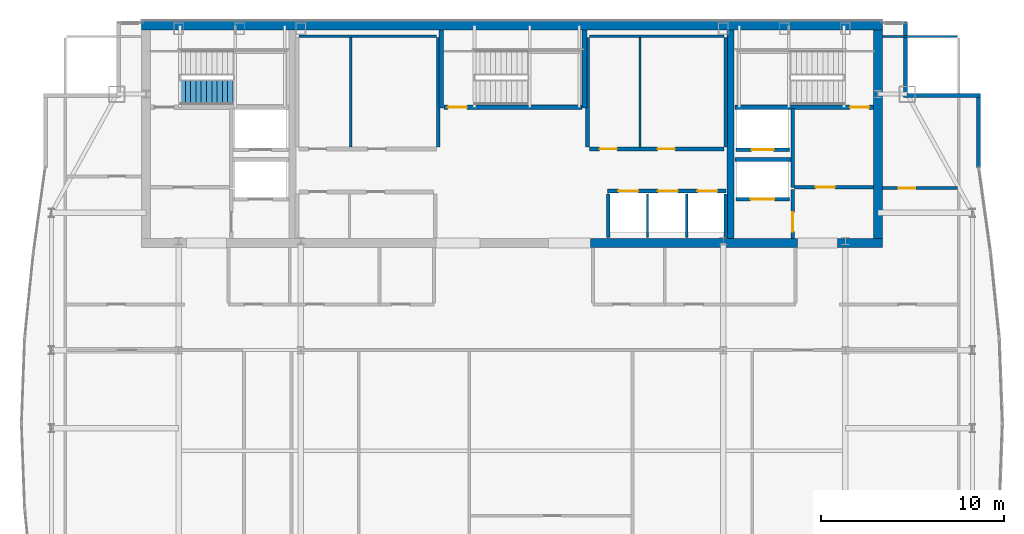
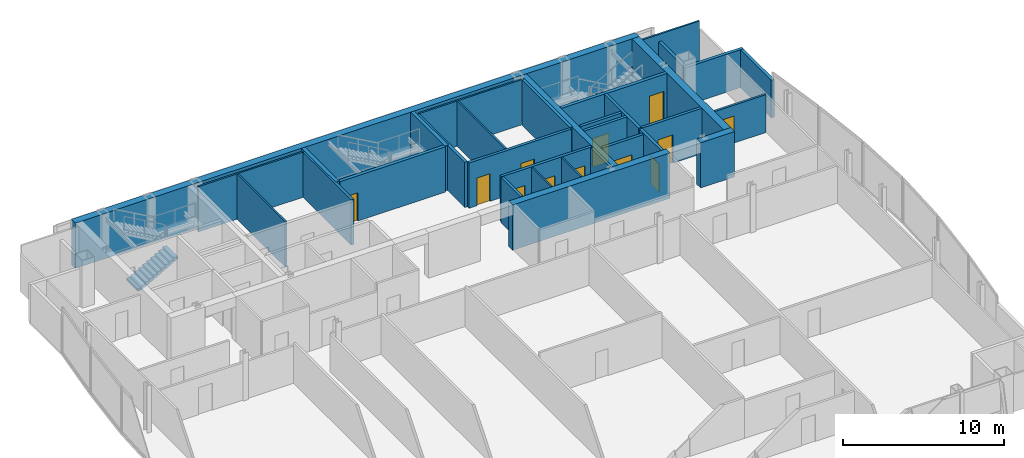
# One storey, part 23 of 26: 33 walls, 12 doors, 1 stair flight, 12 openings, 1 element without a shape of its own.
"""IFC4 building model written with IfcOpenShell, lengths in metres."""

from ifc_helpers import new_model, si_unit, direction, frame, frame_2d, origin, place, context, subcontext, project, spatial, polyline, rectangle, outline, extrude, material, layer, layer_set, type_object, element, fill, aggregate, save


model = new_model("IFC4")

# Units and contexts
model_context = context("Model", 3, precision=1e-05, world=origin(), true_north=direction((0.0, 1.0)))
body_context = subcontext(model_context, "Body", "Model", "MODEL_VIEW")
ifc_project = project(units=[si_unit("LENGTHUNIT", "METRE"), si_unit("AREAUNIT", "SQUARE_METRE"), si_unit("VOLUMEUNIT", "CUBIC_METRE"), si_unit("PLANEANGLEUNIT", "RADIAN"), si_unit("MASSUNIT", "GRAM", prefix="KILO")], contexts=[model_context])

# Site, building, storey
site_placement = place(None, origin())
site = spatial("IfcSite", under=ifc_project, at=site_placement, CompositionType="ELEMENT")
building_placement = place(site_placement, origin())
building = spatial("IfcBuilding", under=site, at=building_placement, Name="Khoronbel Lancet Exchange", CompositionType="ELEMENT")
storey_placement = place(building_placement, frame((0.0, 0.0, 339.800048828125)))
storey = spatial("IfcBuildingStorey", under=building, at=storey_placement, Name="L88", CompositionType="ELEMENT", Elevation=339.800048828125)

# Walls
ifc_material_1 = material(Name="Concrete C60/75", Category="concrete")
ifc_layer_1 = layer(ifc_material_1, 0.5, Name="Concrete C60/75")
ifc_layer_set_1 = layer_set([ifc_layer_1], Name="Concrete C60/75")
wall_type_1 = type_object("IfcWallType", Name="WL-CW4", PredefinedType="SHEAR", material=ifc_layer_set_1)
wall_1_placement = place(storey_placement, frame((16.199951171875, 53.449951171875, 0.0), z_axis=(0.0, 0.0, 1.0), x_axis=(1.0, 0.0, 0.0)))
element("IfcWall", 1, at=wall_1_placement, inside=storey, type_object=wall_type_1, Name="Level L88 rear core north shear wall", PredefinedType="SHEAR", context=body_context, shape_type="SweptSolid", body=[
    extrude(rectangle(XDim=40.5, YDim=0.5, at=frame_2d((20.25, 0.0))), origin(), (0.0, 0.0, 1.0), 3.43994140625),
])
wall_2_placement = place(storey_placement, frame((56.449951171875, 53.199951171875, 0.0), z_axis=(0.0, 0.0, 1.0), x_axis=(0.0, -1.0, 0.0)))
element("IfcWall", 2, at=wall_2_placement, inside=storey, type_object=wall_type_1, Name="Level L88 rear core east shear wall", PredefinedType="SHEAR", context=body_context, shape_type="SweptSolid", body=[
    extrude(rectangle(XDim=11.39990234375, YDim=0.5, at=frame_2d((5.699951171875, 0.0))), origin(), (0.0, 0.0, 1.0), 3.43994140625),
])
wall_3_placement = place(storey_placement, frame((52.050048828125, 41.550048828125, 0.0), z_axis=(0.0, 0.0, 1.0), x_axis=(-1.0, 0.0, 0.0)))
element("IfcWall", 3, at=wall_3_placement, inside=storey, type_object=wall_type_1, Name="Level L88 rear core south shear wall pier P4", PredefinedType="SHEAR", context=body_context, shape_type="SweptSolid", body=[
    extrude(rectangle(XDim=11.300048828125, YDim=0.5, at=frame_2d((5.64990234375, 0.0))), origin(), (0.0, 0.0, 1.0), 3.43994140625),
])
wall_4_placement = place(storey_placement, frame((56.699951171875, 41.550048828125, 0.0), z_axis=(0.0, 0.0, 1.0), x_axis=(-1.0, 0.0, 0.0)))
element("IfcWall", 4, at=wall_4_placement, inside=storey, type_object=wall_type_1, Name="Level L88 rear core south shear wall pier P5", PredefinedType="SHEAR", context=body_context, shape_type="SweptSolid", body=[
    extrude(rectangle(XDim=2.449951171875, YDim=0.5, at=frame_2d((1.22509765625, 0.0))), origin(), (0.0, 0.0, 1.0), 3.43994140625),
])
ifc_material_2 = material(Name="Precast concrete C40/50", Category="concrete")
ifc_layer_2 = layer(ifc_material_2, 0.25, Name="Precast concrete C40/50")
ifc_layer_set_2 = layer_set([ifc_layer_2], Name="Precast concrete C40/50")
wall_type_2 = type_object("IfcWallType", Name="WL-EXT250", PredefinedType="SOLIDWALL", material=ifc_layer_set_2)
wall_5_placement = place(storey_placement, frame((57.9599609375, 53.6298828125, 0.0), z_axis=(0.0, 0.0, 1.0), x_axis=(0.0, -1.0, 0.0)))
element("IfcWall", 5, at=wall_5_placement, inside=storey, type_object=wall_type_2, Name="Level L88 notched-corner limestone pier 14", PredefinedType="SOLIDWALL", context=body_context, shape_type="SweptSolid", body=[
    extrude(rectangle(XDim=3.909912109375, YDim=0.219970703125, at=frame_2d((1.955078125, 0.0))), origin(), (0.0, 0.0, 1.0), 2.8798828125),
])
wall_6_placement = place(storey_placement, frame((57.85009765625, 49.610107421875, 0.0), z_axis=(0.0, 0.0, 1.0), x_axis=(1.0, 0.0, 0.0)))
element("IfcWall", 6, at=wall_6_placement, inside=storey, type_object=wall_type_2, Name="Level L88 notched-corner limestone pier 15", PredefinedType="SOLIDWALL", context=body_context, shape_type="SweptSolid", body=[
    extrude(rectangle(XDim=4.219970703125, YDim=0.219970703125, at=frame_2d((2.10986328125, 0.0))), origin(), (0.0, 0.0, 1.0), 2.8798828125),
])
wall_7_placement = place(storey_placement, frame((61.9599609375, 49.5, 0.0), z_axis=(0.0, 0.0, 1.0), x_axis=(0.0, -1.0, 0.0)))
element("IfcWall", 7, at=wall_7_placement, inside=storey, type_object=wall_type_2, Name="Level L88 notched-corner limestone pier 16", PredefinedType="SOLIDWALL", context=body_context, shape_type="SweptSolid", body=[
    extrude(rectangle(XDim=3.826171875, YDim=0.219970703125, at=frame_2d((1.9130859375, 0.0))), origin(), (0.0, 0.0, 1.0), 2.8798828125),
])

# Wall, opening, door
ifc_material_3 = material(Name="Acoustic Metal-Stud & Mineral-Wool Gypsum Partition 120 mm", Category="gypsum")
ifc_layer_3 = layer(ifc_material_3, 0.1201171875, Name="Acoustic Metal-Stud & Mineral-Wool Gypsum Partition 120 mm")
ifc_layer_set_3 = layer_set([ifc_layer_3], Name="Acoustic Metal-Stud & Mineral-Wool Gypsum Partition 120 mm")
wall_type_3 = type_object("IfcWallType", Name="WL-PRT120", PredefinedType="PARTITIONING", material=ifc_layer_set_3)
wall_8_placement = place(storey_placement, frame((56.699951171875, 44.56005859375, 0.0), z_axis=(0.0, 0.0, 1.0), x_axis=(1.0, 0.0, 0.0)))
wall_8 = element("IfcWall", 8, at=wall_8_placement, inside=storey, type_object=wall_type_3, Name="Level L88 interior partition PW-NE-H", PredefinedType="PARTITIONING", context=body_context, shape_type="SweptSolid", body=[
    extrude(rectangle(XDim=4.10498046875, YDim=0.14990234375, at=frame_2d((2.052490234375, 0.0))), origin(), (0.0, 0.0, 1.0), 2.8798828125),
])
opening_1_placement = place(wall_8_placement, frame((0.89990234375, 0.0, 0.0)))
opening_1 = element("IfcOpeningElement", 9, at=opening_1_placement, cuts=wall_8, Name="Opening D5", PredefinedType="OPENING", context=body_context, shape_type="SweptSolid", body=[
    extrude(rectangle(XDim=0.89990234375, YDim=2.050048828125, at=frame_2d((0.449951171875, 1.02490234375))), frame((0.0, 0.0849609375, 0.0), z_axis=(0.0, -1.0, 0.0), x_axis=(1.0, 0.0, 0.0)), (0.0, 0.0, 1.0), 0.169921875),
])
ifc_material_4 = material(Name="Acoustic Timber Pantry & Support Door", Category="wood")
door_type_1 = type_object("IfcDoorType", Name="DR-D5", OperationType="NOTDEFINED", PredefinedType="DOOR", material=ifc_material_4)
door_1_placement = place(opening_1_placement, origin())
door_1 = element("IfcDoor", 10, at=door_1_placement, inside=storey, type_object=door_type_1, Name="NE north room door L88-1", OperationType="SINGLE_SWING_LEFT", OverallHeight=2.050048828125, OverallWidth=0.89990234375, PredefinedType="DOOR", context=body_context, shape_type="SweptSolid", body=[
    extrude(rectangle(XDim=0.89990234375, YDim=2.050048828125, at=frame_2d((0.449951171875, 1.02490234375))), frame((0.0, 0.02490234375, 0.0), z_axis=(0.0, -1.0, 0.0), x_axis=(1.0, 0.0, 0.0)), (0.0, 0.0, 1.0), 0.050048828125),
])
fill(opening_1, door_1)

# Walls
wall_9_placement = place(storey_placement, frame((56.699951171875, 52.840087890625, 0.0), z_axis=(0.0, 0.0, 1.0), x_axis=(1.0, 0.0, 0.0)))
element("IfcWall", 11, at=wall_9_placement, inside=storey, type_object=wall_type_3, Name="Level L88 interior partition PW-LIN-NE", PredefinedType="PARTITIONING", context=body_context, shape_type="SweptSolid", body=[
    extrude(rectangle(XDim=4.10498046875, YDim=0.1201171875, at=frame_2d((2.052490234375, 0.0))), origin(), (0.0, 0.0, 1.0), 3.43994140625),
])
ifc_material_5 = material(Name="Fire-Rated Metal-Stud & Mineral-Wool Gypsum Partition 120 mm", Category="gypsum")
ifc_layer_4 = layer(ifc_material_5, 0.1201171875, Name="Fire-Rated Metal-Stud & Mineral-Wool Gypsum Partition 120 mm")
ifc_layer_set_4 = layer_set([ifc_layer_4], Name="Fire-Rated Metal-Stud & Mineral-Wool Gypsum Partition 120 mm")
wall_type_4 = type_object("IfcWallType", Name="WL-PRT120F", PredefinedType="PARTITIONING", material=ifc_layer_set_4)
wall_10_placement = place(storey_placement, frame((24.804931640625, 52.860107421875, 0.0), z_axis=(0.0, 0.0, 1.0), x_axis=(1.0, 0.0, 0.0)))
element("IfcWall", 12, at=wall_10_placement, inside=storey, type_object=wall_type_4, Name="Level L88 interior partition CW-PL-RN", PredefinedType="PARTITIONING", context=body_context, shape_type="SweptSolid", body=[
    extrude(rectangle(XDim=7.510009765625, YDim=0.1201171875, at=frame_2d((3.7548828125, 0.0))), origin(), (0.0, 0.0, 1.0), 3.43994140625),
])
wall_11_placement = place(storey_placement, frame((27.633544921875, 46.804931640625, 0.0), z_axis=(0.0, 0.0, 1.0), x_axis=(0.0, 1.0, 0.0)))
element("IfcWall", 13, at=wall_11_placement, inside=storey, type_object=wall_type_4, Name="Level L88 interior partition CW-PL-RS1", PredefinedType="PARTITIONING", context=body_context, shape_type="SweptSolid", body=[
    extrude(rectangle(XDim=5.989990234375, YDim=0.1201171875, at=frame_2d((2.9951171875, 0.0))), origin(), (0.0, 0.0, 1.0), 3.43994140625),
])
wall_12_placement = place(storey_placement, frame((40.68505859375, 52.860107421875, 0.0), z_axis=(0.0, 0.0, 1.0), x_axis=(1.0, 0.0, 0.0)))
element("IfcWall", 14, at=wall_12_placement, inside=storey, type_object=wall_type_4, Name="Level L88 interior partition CW-PH-RN", PredefinedType="PARTITIONING", context=body_context, shape_type="SweptSolid", body=[
    extrude(rectangle(XDim=7.349853515625, YDim=0.1201171875, at=frame_2d((3.6748046875, 0.0))), origin(), (0.0, 0.0, 1.0), 3.43994140625),
])
wall_13_placement = place(storey_placement, frame((43.452880859375, 46.804931640625, 0.0), z_axis=(0.0, 0.0, 1.0), x_axis=(0.0, 1.0, 0.0)))
element("IfcWall", 15, at=wall_13_placement, inside=storey, type_object=wall_type_4, Name="Level L88 interior partition CW-PH-RS1", PredefinedType="PARTITIONING", context=body_context, shape_type="SweptSolid", body=[
    extrude(rectangle(XDim=5.989990234375, YDim=0.1201171875, at=frame_2d((2.9951171875, 0.0))), origin(), (0.0, 0.0, 1.0), 3.43994140625),
])
for number, where, z_axis, x_axis, name in (
    (16, (43.860107421875, 41.85009765625, 0.0), (0.0, 0.0, 1.0), (0.0, 1.0, 0.0), "Level L88 interior partition CW-PX-D1"),
    (17, (46.0, 41.85009765625, 0.0), (0.0, 0.0, 1.0), (0.0, 1.0, 0.0), "Level L88 interior partition CW-PX-D2"),
):
    element("IfcWall", number, at=place(storey_placement, frame(where, z_axis=z_axis, x_axis=x_axis)), inside=storey, type_object=wall_type_4, Name=name, PredefinedType="PARTITIONING", context=body_context, shape_type="SweptSolid", body=[
        extrude(rectangle(XDim=2.39990234375, YDim=0.1201171875, at=frame_2d((1.199951171875, 0.0))), origin(), (0.0, 0.0, 1.0), 3.43994140625),
    ])

# Wall, openings, doors
ifc_material_6 = material(Name="Autoclaved Aerated Concrete Blockwork 200 mm", Category="masonry")
ifc_layer_5 = layer(ifc_material_6, 0.199951171875, Name="Autoclaved Aerated Concrete Blockwork 200 mm")
ifc_layer_set_5 = layer_set([ifc_layer_5], Name="Autoclaved Aerated Concrete Blockwork 200 mm")
wall_type_5 = type_object("IfcWallType", Name="WL-PRT200", PredefinedType="PARTITIONING", material=ifc_layer_set_5)
wall_14_placement = place(storey_placement, frame((41.679931640625, 44.39990234375, 0.0), z_axis=(0.0, 0.0, 1.0), x_axis=(1.0, 0.0, 0.0)))
wall_14 = element("IfcWall", 18, at=wall_14_placement, inside=storey, type_object=wall_type_5, Name="Level L88 elevator hoistway landing front wall PXE", PredefinedType="PARTITIONING", context=body_context, shape_type="SweptSolid", body=[
    extrude(rectangle(XDim=6.47998046875, YDim=0.199951171875, at=frame_2d((3.239990234375, 0.0))), origin(), (0.0, 0.0, 1.0), 3.43994140625),
])
opening_2_placement = place(wall_14_placement, frame((0.580078125, 0.0, 0.0)))
opening_2 = element("IfcOpeningElement", 19, at=opening_2_placement, cuts=wall_14, Name="Opening LD-PX1", PredefinedType="OPENING", context=body_context, shape_type="SweptSolid", body=[
    extrude(rectangle(XDim=1.10009765625, YDim=2.179931640625, at=frame_2d((0.550048828125, 1.08984375))), frame((0.0, 0.10986328125, 0.0), z_axis=(0.0, -1.0, 0.0), x_axis=(1.0, 0.0, 0.0)), (0.0, 0.0, 1.0), 0.219970703125),
])
opening_3_placement = place(wall_14_placement, frame((2.739990234375, 0.0, 0.0)))
opening_3 = element("IfcOpeningElement", 20, at=opening_3_placement, cuts=wall_14, Name="Opening LD-PX2", PredefinedType="OPENING", context=body_context, shape_type="SweptSolid", body=[
    extrude(rectangle(XDim=1.10009765625, YDim=2.179931640625, at=frame_2d((0.550048828125, 1.08984375))), frame((0.0, 0.10986328125, 0.0), z_axis=(0.0, -1.0, 0.0), x_axis=(1.0, 0.0, 0.0)), (0.0, 0.0, 1.0), 0.219970703125),
])
opening_4_placement = place(wall_14_placement, frame((4.89990234375, 0.0, 0.0)))
opening_4 = element("IfcOpeningElement", 21, at=opening_4_placement, cuts=wall_14, Name="Opening LD-PX3", PredefinedType="OPENING", context=body_context, shape_type="SweptSolid", body=[
    extrude(rectangle(XDim=1.10009765625, YDim=2.179931640625, at=frame_2d((0.550048828125, 1.08984375))), frame((0.0, 0.10986328125, 0.0), z_axis=(0.0, -1.0, 0.0), x_axis=(1.0, 0.0, 0.0)), (0.0, 0.0, 1.0), 0.219970703125),
])
ifc_material_7 = material(Name="Brushed Bronze Bi-Parting Elevator Landing Door", Category="steel")
door_type_2 = type_object("IfcDoorType", Name="DR-LD-PAX", OperationType="NOTDEFINED", PredefinedType="DOOR", material=ifc_material_7)
door_2_placement = place(opening_2_placement, origin())
door_2 = element("IfcDoor", 22, at=door_2_placement, inside=storey, type_object=door_type_2, Name="Elevator landing sliding door LD-PX1 L88", OperationType="SLIDING_TO_LEFT", OverallHeight=2.179931640625, OverallWidth=1.10009765625, PredefinedType="DOOR", context=body_context, shape_type="SweptSolid", body=[
    extrude(rectangle(XDim=1.10009765625, YDim=2.179931640625, at=frame_2d((0.550048828125, 1.08984375))), frame((0.0, 0.02490234375, 0.0), z_axis=(0.0, -1.0, 0.0), x_axis=(1.0, 0.0, 0.0)), (0.0, 0.0, 1.0), 0.050048828125),
])
fill(opening_2, door_2)
door_3_placement = place(opening_3_placement, origin())
door_3 = element("IfcDoor", 23, at=door_3_placement, inside=storey, type_object=door_type_2, Name="Elevator landing sliding door LD-PX2 L88", OperationType="SLIDING_TO_LEFT", OverallHeight=2.179931640625, OverallWidth=1.10009765625, PredefinedType="DOOR", context=body_context, shape_type="SweptSolid", body=[
    extrude(rectangle(XDim=1.10009765625, YDim=2.179931640625, at=frame_2d((0.550048828125, 1.08984375))), frame((0.0, 0.02490234375, 0.0), z_axis=(0.0, -1.0, 0.0), x_axis=(1.0, 0.0, 0.0)), (0.0, 0.0, 1.0), 0.050048828125),
])
fill(opening_3, door_3)
door_4_placement = place(opening_4_placement, origin())
door_4 = element("IfcDoor", 24, at=door_4_placement, inside=storey, type_object=door_type_2, Name="Elevator landing sliding door LD-PX3 L88", OperationType="SLIDING_TO_LEFT", OverallHeight=2.179931640625, OverallWidth=1.10009765625, PredefinedType="DOOR", context=body_context, shape_type="SweptSolid", body=[
    extrude(rectangle(XDim=1.10009765625, YDim=2.179931640625, at=frame_2d((0.550048828125, 1.08984375))), frame((0.0, 0.02490234375, 0.0), z_axis=(0.0, -1.0, 0.0), x_axis=(1.0, 0.0, 0.0)), (0.0, 0.0, 1.0), 0.050048828125),
])
fill(opening_4, door_4)

# Wall, opening, door
wall_15_placement = place(storey_placement, frame((51.610107421875, 43.949951171875, 0.0), z_axis=(0.0, 0.0, 1.0), x_axis=(-1.0, 0.0, 0.0)))
wall_15 = element("IfcWall", 25, at=wall_15_placement, inside=storey, type_object=wall_type_5, Name="Level L88 elevator hoistway landing front wall SVLE", PredefinedType="PARTITIONING", context=body_context, shape_type="SweptSolid", body=[
    extrude(rectangle(XDim=2.920166015625, YDim=0.199951171875, at=frame_2d((1.4599609375, 0.0))), origin(), (0.0, 0.0, 1.0), 3.43994140625),
])
opening_5_placement = place(wall_15_placement, frame((0.81005859375, 0.0, 0.0)))
opening_5 = element("IfcOpeningElement", 26, at=opening_5_placement, cuts=wall_15, Name="Opening LD-SVL2", PredefinedType="OPENING", context=body_context, shape_type="SweptSolid", body=[
    extrude(rectangle(XDim=1.300048828125, YDim=2.179931640625, at=frame_2d((0.64990234375, 1.08984375))), frame((0.0, 0.10986328125, 0.0), z_axis=(0.0, -1.0, 0.0), x_axis=(1.0, 0.0, 0.0)), (0.0, 0.0, 1.0), 0.219970703125),
])
ifc_material_8 = material(Name="Heavy-Duty Bi-Parting Goods Lift Landing Door", Category="steel")
door_type_3 = type_object("IfcDoorType", Name="DR-LD-SVL", OperationType="NOTDEFINED", PredefinedType="DOOR", material=ifc_material_8)
door_5_placement = place(opening_5_placement, origin())
door_5 = element("IfcDoor", 27, at=door_5_placement, inside=storey, type_object=door_type_3, Name="Elevator landing sliding door LD-SVL2 L88", OperationType="SLIDING_TO_LEFT", OverallHeight=2.179931640625, OverallWidth=1.300048828125, PredefinedType="DOOR", context=body_context, shape_type="SweptSolid", body=[
    extrude(rectangle(XDim=1.300048828125, YDim=2.179931640625, at=frame_2d((0.64990234375, 1.08984375))), frame((0.0, 0.02490234375, 0.0), z_axis=(0.0, -1.0, 0.0), x_axis=(1.0, 0.0, 0.0)), (0.0, 0.0, 1.0), 0.050048828125),
])
fill(opening_5, door_5)

wall_16_placement = place(storey_placement, frame((51.610107421875, 46.64990234375, 0.0), z_axis=(0.0, 0.0, 1.0), x_axis=(-1.0, 0.0, 0.0)))
wall_16 = element("IfcWall", 28, at=wall_16_placement, inside=storey, type_object=wall_type_5, Name="Level L88 elevator hoistway landing front wall FFLE", PredefinedType="PARTITIONING", context=body_context, shape_type="SweptSolid", body=[
    extrude(rectangle(XDim=2.920166015625, YDim=0.199951171875, at=frame_2d((1.4599609375, 0.0))), origin(), (0.0, 0.0, 1.0), 3.43994140625),
])
opening_6_placement = place(wall_16_placement, frame((0.860107421875, 0.0, 0.0)))
opening_6 = element("IfcOpeningElement", 29, at=opening_6_placement, cuts=wall_16, Name="Opening LD-FFL2", PredefinedType="OPENING", context=body_context, shape_type="SweptSolid", body=[
    extrude(rectangle(XDim=1.199951171875, YDim=2.179931640625, at=frame_2d((0.60009765625, 1.08984375))), frame((0.0, 0.10986328125, 0.0), z_axis=(0.0, -1.0, 0.0), x_axis=(1.0, 0.0, 0.0)), (0.0, 0.0, 1.0), 0.219970703125),
])
ifc_material_9 = material(Name="Fire-Rated Stainless Bi-Parting Firefighting Lift Door", Category="steel")
door_type_4 = type_object("IfcDoorType", Name="DR-LD-FFL", OperationType="NOTDEFINED", PredefinedType="DOOR", material=ifc_material_9)
door_6_placement = place(opening_6_placement, origin())
door_6 = element("IfcDoor", 30, at=door_6_placement, inside=storey, type_object=door_type_4, Name="Elevator landing sliding door LD-FFL2 L88", OperationType="SLIDING_TO_LEFT", OverallHeight=2.179931640625, OverallWidth=1.199951171875, PredefinedType="DOOR", context=body_context, shape_type="SweptSolid", body=[
    extrude(rectangle(XDim=1.199951171875, YDim=2.179931640625, at=frame_2d((0.60009765625, 1.08984375))), frame((0.0, 0.02490234375, 0.0), z_axis=(0.0, -1.0, 0.0), x_axis=(1.0, 0.0, 0.0)), (0.0, 0.0, 1.0), 0.050048828125),
])
fill(opening_6, door_6)

# Wall
wall_17_placement = place(storey_placement, frame((51.800048828125, 44.60009765625, 0.0), z_axis=(0.0, 0.0, 1.0), x_axis=(0.0, 1.0, 0.0)))
element("IfcWall", 31, at=wall_17_placement, inside=storey, type_object=wall_type_5, Name="Level L88 interior partition CW-FFLE-W", PredefinedType="PARTITIONING", context=body_context, shape_type="SweptSolid", body=[
    extrude(rectangle(XDim=4.2998046875, YDim=0.199951171875, at=frame_2d((2.14990234375, 0.0))), origin(), (0.0, 0.0, 1.0), 3.43994140625),
])

# Wall, opening, door
wall_18_placement = place(storey_placement, frame((51.89990234375, 44.60009765625, 0.0), z_axis=(0.0, 0.0, 1.0), x_axis=(1.0, 0.0, 0.0)))
wall_18 = element("IfcWall", 32, at=wall_18_placement, inside=storey, type_object=wall_type_5, Name="Level L88 interior partition CW-FFLE-S", PredefinedType="PARTITIONING", context=body_context, shape_type="SweptSolid", body=[
    extrude(rectangle(XDim=4.300048828125, YDim=0.199951171875, at=frame_2d((2.14990234375, 0.0))), origin(), (0.0, 0.0, 1.0), 3.43994140625),
])
opening_7_placement = place(wall_18_placement, frame((1.14990234375, 0.0, 0.0)))
opening_7 = element("IfcOpeningElement", 33, at=opening_7_placement, cuts=wall_18, Name="Opening FD1", PredefinedType="OPENING", context=body_context, shape_type="SweptSolid", body=[
    extrude(rectangle(XDim=1.050048828125, YDim=2.14990234375, at=frame_2d((0.52490234375, 1.074951171875))), frame((0.0, 0.10986328125, 0.0), z_axis=(0.0, -1.0, 0.0), x_axis=(1.0, 0.0, 0.0)), (0.0, 0.0, 1.0), 0.219970703125),
])
ifc_material_10 = material(Name="Fire-Rated Painted Steel Door Assembly", Category="steel")
door_type_5 = type_object("IfcDoorType", Name="DR-FD1", OperationType="NOTDEFINED", PredefinedType="DOOR", material=ifc_material_10)
door_7_placement = place(opening_7_placement, origin())
door_7 = element("IfcDoor", 34, at=door_7_placement, inside=storey, type_object=door_type_5, Name="East firefighting lobby FD90S door L88-1", OperationType="SINGLE_SWING_LEFT", OverallHeight=2.14990234375, OverallWidth=1.050048828125, PredefinedType="DOOR", context=body_context, shape_type="SweptSolid", body=[
    extrude(rectangle(XDim=1.050048828125, YDim=2.14990234375, at=frame_2d((0.52490234375, 1.074951171875))), frame((0.0, 0.02490234375, 0.0), z_axis=(0.0, -1.0, 0.0), x_axis=(1.0, 0.0, 0.0)), (0.0, 0.0, 1.0), 0.050048828125),
])
fill(opening_7, door_7)

# Wall
wall_19_placement = place(storey_placement, frame((48.6298828125, 46.1201171875, 0.0), z_axis=(0.0, 0.0, 1.0), x_axis=(1.0, 0.0, 0.0)))
element("IfcWall", 35, at=wall_19_placement, inside=storey, type_object=wall_type_5, Name="Level L88 interior partition CW-FFL2-S", PredefinedType="PARTITIONING", context=body_context, shape_type="SweptSolid", body=[
    extrude(rectangle(XDim=3.070068359375, YDim=0.199951171875, at=frame_2d((1.53515625, 0.0))), origin(), (0.0, 0.0, 1.0), 3.43994140625),
])

# Wall, opening, door
wall_20_placement = place(storey_placement, frame((51.800048828125, 41.800048828125, 0.0), z_axis=(0.0, 0.0, 1.0), x_axis=(0.0, 1.0, 0.0)))
wall_20 = element("IfcWall", 36, at=wall_20_placement, inside=storey, type_object=wall_type_5, Name="Level L88 interior partition CW-SVLE-E", PredefinedType="PARTITIONING", context=body_context, shape_type="SweptSolid", body=[
    extrude(rectangle(XDim=2.695068359375, YDim=0.199951171875, at=frame_2d((1.34765625, 0.0))), origin(), (0.0, 0.0, 1.0), 3.43994140625),
])
opening_8_placement = place(wall_20_placement, frame((0.3798828125, 0.0, 0.0)))
opening_8 = element("IfcOpeningElement", 37, at=opening_8_placement, cuts=wall_20, Name="Opening FD1", PredefinedType="OPENING", context=body_context, shape_type="SweptSolid", body=[
    extrude(rectangle(XDim=1.050048828125, YDim=2.14990234375, at=frame_2d((0.52490234375, 1.074951171875))), frame((0.0, 0.10986328125, 0.0), z_axis=(0.0, -1.0, 0.0), x_axis=(1.0, 0.0, 0.0)), (0.0, 0.0, 1.0), 0.219970703125),
])
door_8_placement = place(opening_8_placement, origin())
door_8 = element("IfcDoor", 38, at=door_8_placement, inside=storey, type_object=door_type_5, Name="East service lift lobby door L88-1", OperationType="SINGLE_SWING_RIGHT", OverallHeight=2.14990234375, OverallWidth=1.050048828125, PredefinedType="DOOR", context=body_context, shape_type="SweptSolid", body=[
    extrude(rectangle(XDim=1.050048828125, YDim=2.14990234375, at=frame_2d((0.52490234375, 1.074951171875))), frame((0.0, 0.02490234375, 0.0), z_axis=(0.0, -1.0, 0.0), x_axis=(1.0, 0.0, 0.0)), (0.0, 0.0, 1.0), 0.050048828125),
])
fill(opening_8, door_8)

# Walls
for number, where, z_axis, x_axis, name in (
    (39, (32.419921875, 46.804931640625, 0.0), (0.0, 0.0, 1.0), (0.0, 1.0, 0.0), "Level L88 interior partition CW-PL-RE"),
    (40, (40.580078125, 46.804931640625, 0.0), (0.0, 0.0, 1.0), (0.0, 1.0, 0.0), "Level L88 interior partition CW-PH-RW"),
    (41, (48.139892578125, 46.804931640625, 0.0), (0.0, 0.0, 1.0), (0.0, 1.0, 0.0), "Level L88 interior partition CW-PH-RE"),
):
    element("IfcWall", number, at=place(storey_placement, frame(where, z_axis=z_axis, x_axis=x_axis)), inside=storey, type_object=wall_type_5, Name=name, PredefinedType="PARTITIONING", context=body_context, shape_type="SweptSolid", body=[
        extrude(rectangle(XDim=5.989990234375, YDim=0.199951171875, at=frame_2d((2.9951171875, 0.0))), origin(), (0.0, 0.0, 1.0), 3.43994140625),
    ])

# Wall, openings, doors
wall_21_placement = place(storey_placement, frame((40.68505859375, 46.699951171875, 0.0), z_axis=(0.0, 0.0, 1.0), x_axis=(1.0, 0.0, 0.0)))
wall_21 = element("IfcWall", 42, at=wall_21_placement, inside=storey, type_object=wall_type_5, Name="Level L88 interior partition CW-PH-RF", PredefinedType="PARTITIONING", context=body_context, shape_type="SweptSolid", body=[
    extrude(rectangle(XDim=7.349853515625, YDim=0.199951171875, at=frame_2d((3.6748046875, 0.0))), origin(), (0.0, 0.0, 1.0), 3.43994140625),
])
opening_9_placement = place(wall_21_placement, frame((0.550048828125, 0.0, 0.0)))
opening_9 = element("IfcOpeningElement", 43, at=opening_9_placement, cuts=wall_21, Name="Opening FD3", PredefinedType="OPENING", context=body_context, shape_type="SweptSolid", body=[
    extrude(rectangle(XDim=0.949951171875, YDim=2.10009765625, at=frame_2d((0.47509765625, 1.050048828125))), frame((0.0, 0.10986328125, 0.0), z_axis=(0.0, -1.0, 0.0), x_axis=(1.0, 0.0, 0.0)), (0.0, 0.0, 1.0), 0.219970703125),
])
opening_10_placement = place(wall_21_placement, frame((3.722900390625, 0.0, 0.0)))
opening_10 = element("IfcOpeningElement", 44, at=opening_10_placement, cuts=wall_21, Name="Opening FD3", PredefinedType="OPENING", context=body_context, shape_type="SweptSolid", body=[
    extrude(rectangle(XDim=0.949951171875, YDim=2.10009765625, at=frame_2d((0.47509765625, 1.050048828125))), frame((0.0, 0.10986328125, 0.0), z_axis=(0.0, -1.0, 0.0), x_axis=(1.0, 0.0, 0.0)), (0.0, 0.0, 1.0), 0.219970703125),
])
ifc_material_11 = material(Name="Fire-Rated Steel Plant & Riser Door Assembly", Category="steel")
door_type_6 = type_object("IfcDoorType", Name="DR-FD3", OperationType="NOTDEFINED", PredefinedType="DOOR", material=ifc_material_11)
door_9_placement = place(opening_9_placement, origin())
door_9 = element("IfcDoor", 45, at=door_9_placement, inside=storey, type_object=door_type_6, Name="Reclaimed PH A door L88-1", OperationType="SINGLE_SWING_LEFT", OverallHeight=2.10009765625, OverallWidth=0.949951171875, PredefinedType="DOOR", context=body_context, shape_type="SweptSolid", body=[
    extrude(rectangle(XDim=0.949951171875, YDim=2.10009765625, at=frame_2d((0.47509765625, 1.050048828125))), frame((0.0, 0.02490234375, 0.0), z_axis=(0.0, -1.0, 0.0), x_axis=(1.0, 0.0, 0.0)), (0.0, 0.0, 1.0), 0.050048828125),
])
fill(opening_9, door_9)
door_10_placement = place(opening_10_placement, origin())
door_10 = element("IfcDoor", 46, at=door_10_placement, inside=storey, type_object=door_type_6, Name="Reclaimed PH B door L88-2", OperationType="SINGLE_SWING_RIGHT", OverallHeight=2.10009765625, OverallWidth=0.949951171875, PredefinedType="DOOR", context=body_context, shape_type="SweptSolid", body=[
    extrude(rectangle(XDim=0.949951171875, YDim=2.10009765625, at=frame_2d((0.47509765625, 1.050048828125))), frame((0.0, 0.02490234375, 0.0), z_axis=(0.0, -1.0, 0.0), x_axis=(1.0, 0.0, 0.0)), (0.0, 0.0, 1.0), 0.050048828125),
])
fill(opening_10, door_10)

# Walls
for number, where, z_axis, x_axis, name in (
    (47, (41.719970703125, 41.85009765625, 0.0), (0.0, 0.0, 1.0), (0.0, 1.0, 0.0), "Level L88 interior partition CW-PX-W"),
    (48, (48.139892578125, 41.85009765625, 0.0), (0.0, 0.0, 1.0), (0.0, 1.0, 0.0), "Level L88 interior partition CW-PX-E"),
):
    element("IfcWall", number, at=place(storey_placement, frame(where, z_axis=z_axis, x_axis=x_axis)), inside=storey, type_object=wall_type_5, Name=name, PredefinedType="PARTITIONING", context=body_context, shape_type="SweptSolid", body=[
        extrude(rectangle(XDim=2.39990234375, YDim=0.199951171875, at=frame_2d((1.199951171875, 0.0))), origin(), (0.0, 0.0, 1.0), 3.43994140625),
    ])
ifc_layer_6 = layer(ifc_material_1, 0.39990234375, Name="Concrete C60/75")
ifc_layer_set_6 = layer_set([ifc_layer_6], Name="Concrete C60/75")
wall_type_6 = type_object("IfcWallType", Name="WL-SW2", PredefinedType="SHEAR", material=ifc_layer_set_6)
wall_22_placement = place(storey_placement, frame((48.39990234375, 41.800048828125, 0.0), z_axis=(0.0, 0.0, 1.0), x_axis=(0.0, 1.0, 0.0)))
element("IfcWall", 49, at=wall_22_placement, inside=storey, type_object=wall_type_6, Name="Level L88 rear core internal spine shear wall IE", PredefinedType="SHEAR", context=body_context, shape_type="SweptSolid", body=[
    extrude(rectangle(XDim=11.39990234375, YDim=0.39990234375, at=frame_2d((5.699951171875, 0.0))), origin(), (0.0, 0.0, 1.0), 3.43994140625),
])
ifc_layer_7 = layer(ifc_material_1, 0.260009765625, Name="Concrete C60/75")
ifc_layer_set_7 = layer_set([ifc_layer_7], Name="Concrete C60/75")
wall_type_7 = type_object("IfcWallType", Name="WL-SW3", PredefinedType="SHEAR", material=ifc_layer_set_7)
for number, where, z_axis, x_axis, name in (
    (50, (32.580078125, 48.949951171875, 0.0), (0.0, 0.0, 1.0), (0.0, 1.0, 0.0), "Level L88 central stairwell structural shear wall ST3W"),
    (51, (40.419921875, 48.949951171875, 0.0), (0.0, 0.0, 1.0), (0.0, 1.0, 0.0), "Level L88 central stairwell structural shear wall ST3E"),
):
    element("IfcWall", number, at=place(storey_placement, frame(where, z_axis=z_axis, x_axis=x_axis)), inside=storey, type_object=wall_type_7, Name=name, PredefinedType="SHEAR", context=body_context, shape_type="SweptSolid", body=[
        extrude(rectangle(XDim=4.25, YDim=0.260009765625, at=frame_2d((2.125, 0.0))), origin(), (0.0, 0.0, 1.0), 3.43994140625),
    ])

# Wall, opening, door
wall_23_placement = place(storey_placement, frame((48.6298828125, 48.97998046875, 0.0), z_axis=(0.0, 0.0, 1.0), x_axis=(1.0, 0.0, 0.0)))
wall_23 = element("IfcWall", 52, at=wall_23_placement, inside=storey, type_object=wall_type_7, Name="Level L88 east stairwell structural south wall", PredefinedType="SHEAR", context=body_context, shape_type="SweptSolid", body=[
    extrude(rectangle(XDim=7.570068359375, YDim=0.239990234375, at=frame_2d((3.78515625, 0.0))), origin(), (0.0, 0.0, 1.0), 3.43994140625),
])
opening_11_placement = place(wall_23_placement, frame((6.300048828125, 0.0, 0.0)))
opening_11 = element("IfcOpeningElement", 53, at=opening_11_placement, cuts=wall_23, Name="Opening SD1", PredefinedType="OPENING", context=body_context, shape_type="SweptSolid", body=[
    extrude(rectangle(XDim=1.050048828125, YDim=2.14990234375, at=frame_2d((0.52490234375, 1.074951171875))), frame((0.0, 0.1298828125, 0.0), z_axis=(0.0, -1.0, 0.0), x_axis=(1.0, 0.0, 0.0)), (0.0, 0.0, 1.0), 0.260009765625),
])
ifc_material_12 = material(Name="Fire-Rated Steel Stairwell Door Assembly", Category="steel")
door_type_7 = type_object("IfcDoorType", Name="DR-SD1", OperationType="NOTDEFINED", PredefinedType="DOOR", material=ifc_material_12)
door_11_placement = place(opening_11_placement, origin())
door_11 = element("IfcDoor", 54, at=door_11_placement, inside=storey, type_object=door_type_7, Name="Protected exit stair ST2 door L88", OperationType="SINGLE_SWING_RIGHT", OverallHeight=2.14990234375, OverallWidth=1.050048828125, PredefinedType="DOOR", context=body_context, shape_type="SweptSolid", body=[
    extrude(rectangle(XDim=1.050048828125, YDim=2.14990234375, at=frame_2d((0.52490234375, 1.074951171875))), frame((0.0, 0.02490234375, 0.0), z_axis=(0.0, -1.0, 0.0), x_axis=(1.0, 0.0, 0.0)), (0.0, 0.0, 1.0), 0.050048828125),
])
fill(opening_11, door_11)

wall_24_placement = place(storey_placement, frame((32.719970703125, 48.97998046875, 0.0), z_axis=(0.0, 0.0, 1.0), x_axis=(1.0, 0.0, 0.0)))
wall_24 = element("IfcWall", 55, at=wall_24_placement, inside=storey, type_object=wall_type_7, Name="Level L88 central stairwell structural south wall", PredefinedType="SHEAR", context=body_context, shape_type="SweptSolid", body=[
    extrude(rectangle(XDim=7.56005859375, YDim=0.239990234375, at=frame_2d((3.780029296875, 0.0))), origin(), (0.0, 0.0, 1.0), 3.43994140625),
])
opening_12_placement = place(wall_24_placement, frame((0.219970703125, 0.0, 0.0)))
opening_12 = element("IfcOpeningElement", 56, at=opening_12_placement, cuts=wall_24, Name="Opening SD1", PredefinedType="OPENING", context=body_context, shape_type="SweptSolid", body=[
    extrude(rectangle(XDim=1.050048828125, YDim=2.14990234375, at=frame_2d((0.52490234375, 1.074951171875))), frame((0.0, 0.1298828125, 0.0), z_axis=(0.0, -1.0, 0.0), x_axis=(1.0, 0.0, 0.0)), (0.0, 0.0, 1.0), 0.260009765625),
])
door_12_placement = place(opening_12_placement, origin())
door_12 = element("IfcDoor", 57, at=door_12_placement, inside=storey, type_object=door_type_7, Name="Protected exit stair ST3 door L88", OperationType="SINGLE_SWING_LEFT", OverallHeight=2.14990234375, OverallWidth=1.050048828125, PredefinedType="DOOR", context=body_context, shape_type="SweptSolid", body=[
    extrude(rectangle(XDim=1.050048828125, YDim=2.14990234375, at=frame_2d((0.52490234375, 1.074951171875))), frame((0.0, 0.02490234375, 0.0), z_axis=(0.0, -1.0, 0.0), x_axis=(1.0, 0.0, 0.0)), (0.0, 0.0, 1.0), 0.050048828125),
])
fill(opening_12, door_12)

# Stair, stair flight
ifc_material_13 = material(Name="Concrete C40/50", Category="concrete")
stair_type = type_object("IfcStairType", Name="STR-CORE150", PredefinedType="HALF_TURN_STAIR", material=ifc_material_13)
stair_placement = place(storey_placement, origin())
stair = element("IfcStair", 58, at=stair_placement, inside=storey, type_object=stair_type, Name="L88 Protected Exit Stair ST1", PredefinedType="HALF_TURN_STAIR")
stair_flight_type = type_object("IfcStairFlightType", Name="STF-150", PredefinedType="STRAIGHT", material=ifc_material_13)
stair_flight_placement = place(storey_placement, frame((18.300048828125, 49.81005859375, 0.0), z_axis=(0.0, 0.0, 1.0), x_axis=(1.0, 0.0, 0.0)))
stair_flight = element("IfcStairFlight", 59, at=stair_flight_placement, type_object=stair_flight_type, Name="ST1 flight 1", NumberOfRisers=11, NumberOfTreads=10, PredefinedType="STRAIGHT", RiserHeight=0.163636364, TreadLength=0.29, context=body_context, shape_type="SweptSolid", body=[
    extrude(outline(polyline([(0.0, 0.0), (0.0, 0.16357421875), (0.2900390625, 0.16357421875), (0.2900390625, 0.327392578125), (0.580078125, 0.327392578125), (0.580078125, 0.490966796875), (0.8701171875, 0.490966796875), (0.8701171875, 0.654541015625), (1.159912109375, 0.654541015625), (1.159912109375, 0.818115234375), (1.449951171875, 0.818115234375), (1.449951171875, 0.98193359375), (1.739990234375, 0.98193359375), (1.739990234375, 1.1455078125), (2.030029296875, 1.1455078125), (2.030029296875, 1.30908203125), (2.320068359375, 1.30908203125), (2.320068359375, 1.47265625), (2.610107421875, 1.47265625), (2.610107421875, 1.636474609375), (2.89990234375, 1.636474609375), (2.89990234375, 1.800048828125), (2.89990234375, 1.46435546875), (0.304931640625, 0.0), (0.0, 0.0)])), frame((0.0, 0.68994140625, 0.0), z_axis=(0.0, -1.0, 0.0), x_axis=(1.0, 0.0, 0.0)), (0.0, 0.0, 1.0), 1.3798828125),
])
aggregate(stair, [stair_flight])

save(model, "model.ifc")
